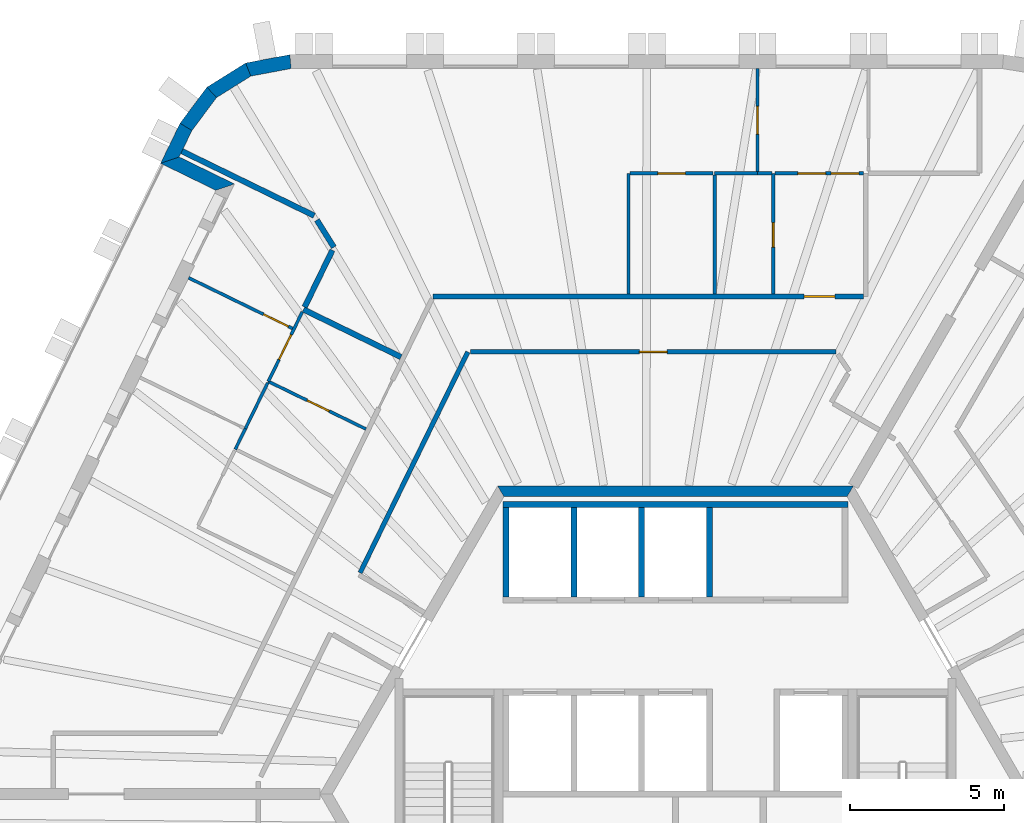
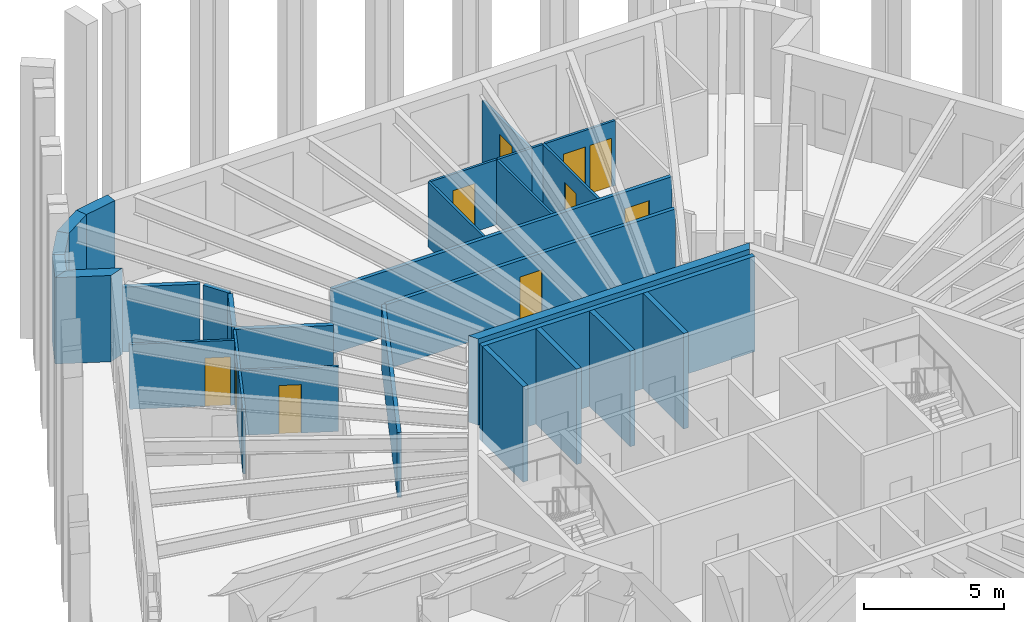
# One storey, part 8 of 12: 31 walls, 10 doors, 10 openings.
"""IFC4 building model written with IfcOpenShell, lengths in metres."""

from ifc_helpers import new_model, si_unit, direction, frame, frame_2d, origin, place, context, subcontext, project, spatial, polyline, rectangle, outline, extrude, material, layer, layer_set, type_object, element, fill, save


model = new_model("IFC4")

# Units and contexts
model_context = context("Model", 3, precision=1e-05, world=origin(), true_north=direction((0.0, 1.0)))
body_context = subcontext(model_context, "Body", "Model", "MODEL_VIEW")
ifc_project = project(units=[si_unit("LENGTHUNIT", "METRE"), si_unit("AREAUNIT", "SQUARE_METRE"), si_unit("VOLUMEUNIT", "CUBIC_METRE"), si_unit("PLANEANGLEUNIT", "RADIAN"), si_unit("MASSUNIT", "GRAM", prefix="KILO")], contexts=[model_context])

# Site, building, storey
site_placement = place(None, origin())
site = spatial("IfcSite", under=ifc_project, at=site_placement, CompositionType="ELEMENT")
building_placement = place(site_placement, origin())
building = spatial("IfcBuilding", under=site, at=building_placement, Name="Tarnside Tower", CompositionType="ELEMENT")
storey_placement = place(building_placement, frame((0.0, 0.0, 349.5)))
storey = spatial("IfcBuildingStorey", under=building, at=storey_placement, Name="L84", CompositionType="ELEMENT", Elevation=349.5)

# Wall
ifc_material_1 = material(Name="Gypsum board partition on steel studs", Category="steel")
ifc_layer_1 = layer(ifc_material_1, 0.10009765625)
ifc_layer_set_1 = layer_set([ifc_layer_1], Name="Bathroom wall 100")
wall_type_1 = type_object("IfcWallType", Name="Bathroom wall 100", PredefinedType="PARTITIONING", material=ifc_layer_set_1)
wall_1_placement = place(storey_placement, frame((1.274658203125, 20.14990234375, 0.0), z_axis=(0.0, 0.0, 1.0), x_axis=(1.0, 0.0, 0.0)))
element("IfcWall", 1, at=wall_1_placement, inside=storey, type_object=wall_type_1, Name="Bathroom wall 27070", PredefinedType="PARTITIONING", context=body_context, shape_type="SweptSolid", body=[
    extrude(rectangle(XDim=1.395751953125, YDim=0.10009765625, at=frame_2d((0.69775390625, 0.0))), origin(), (0.0, 0.0, 1.0), 2.820068359375),
])

# Wall, opening, door
wall_2_placement = place(storey_placement, frame((3.174560546875, 20.14990234375, 0.0), z_axis=(0.0, 0.0, 1.0), x_axis=(0.0, -1.0, 0.0)))
wall_2 = element("IfcWall", 2, at=wall_2_placement, inside=storey, type_object=wall_type_1, Name="Bathroom wall 27078", PredefinedType="PARTITIONING", context=body_context, shape_type="SweptSolid", body=[
    extrude(rectangle(XDim=3.9248046875, YDim=0.10009765625, at=frame_2d((1.96240234375, 0.0))), origin(), (0.0, 0.0, 1.0), 2.820068359375),
])
opening_1_placement = place(wall_2_placement, frame((1.60009765625, 0.0, 0.0)))
opening_1 = element("IfcOpeningElement", 3, at=opening_1_placement, cuts=wall_2, Name="Opening D-B1", PredefinedType="OPENING", context=body_context, shape_type="SweptSolid", body=[
    extrude(rectangle(XDim=0.800048828125, YDim=2.10009765625, at=frame_2d((0.39990234375, 1.050048828125))), frame((0.0, 0.06005859375, 0.0), z_axis=(0.0, -1.0, 0.0), x_axis=(1.0, 0.0, 0.0)), (0.0, 0.0, 1.0), 0.1201171875),
])
ifc_material_2 = material(Name="Timber door leaf", Category="wood")
door_type_1 = type_object("IfcDoorType", Name="Bathroom door 800", OperationType="NOTDEFINED", PredefinedType="DOOR", material=ifc_material_2)
door_1_placement = place(opening_1_placement, origin())
door_1 = element("IfcDoor", 4, at=door_1_placement, inside=storey, type_object=door_type_1, Name="Bathroom door 27002", OperationType="SINGLE_SWING_LEFT", OverallHeight=2.10009765625, OverallWidth=0.800048828125, PredefinedType="DOOR", context=body_context, shape_type="SweptSolid", body=[
    extrude(rectangle(XDim=0.800048828125, YDim=2.10009765625, at=frame_2d((0.39990234375, 1.050048828125))), frame((0.0, 0.02490234375, 0.0), z_axis=(0.0, -1.0, 0.0), x_axis=(1.0, 0.0, 0.0)), (0.0, 0.0, 1.0), 0.050048828125),
])
fill(opening_1, door_1)

# Walls
wall_3_placement = place(storey_placement, frame((3.126708984375, 20.14990234375, 0.0), z_axis=(0.0, 0.0, 1.0), x_axis=(-1.0, 0.0, 0.0)))
element("IfcWall", 5, at=wall_3_placement, inside=storey, type_object=wall_type_1, Name="Bathroom wall 27080", PredefinedType="PARTITIONING", context=body_context, shape_type="SweptSolid", body=[
    extrude(rectangle(XDim=0.458251953125, YDim=0.10009765625, at=frame_2d((0.22900390625, 0.0))), origin(), (0.0, 0.0, 1.0), 2.820068359375),
])
wall_4_placement = place(storey_placement, frame((1.274658203125, 20.10009765625, 0.0), z_axis=(0.0, 0.0, 1.0), x_axis=(0.0, -1.0, 0.0)))
element("IfcWall", 6, at=wall_4_placement, inside=storey, type_object=wall_type_1, Name="Bathroom wall 27081", PredefinedType="PARTITIONING", context=body_context, shape_type="SweptSolid", body=[
    extrude(rectangle(XDim=3.875, YDim=0.10009765625, at=frame_2d((1.9375, 0.0))), origin(), (0.0, 0.0, 1.0), 2.820068359375),
])
wall_5_placement = place(storey_placement, frame((-14.291259765625, 11.189208984375, 0.0), z_axis=(0.0, 0.0, 1.0), x_axis=(0.438105837585, 0.898923397779, 0.0)))
element("IfcWall", 7, at=wall_5_placement, inside=storey, type_object=wall_type_1, Name="Bathroom wall 27083", PredefinedType="PARTITIONING", context=body_context, shape_type="SweptSolid", body=[
    extrude(rectangle(XDim=0.74169921875, YDim=0.10009765625, at=frame_2d((0.370849609375, 0.0))), origin(), (0.0, 0.0, 1.0), 2.820068359375),
])

# Wall, opening, door
wall_6_placement = place(storey_placement, frame((-13.21728515625, 13.391357421875, 0.0), z_axis=(0.0, 0.0, 1.0), x_axis=(0.898775101867, -0.438409986501, 0.0)))
wall_6 = element("IfcWall", 8, at=wall_6_placement, inside=storey, type_object=wall_type_1, Name="Bathroom wall 27087", PredefinedType="PARTITIONING", context=body_context, shape_type="SweptSolid", body=[
    extrude(rectangle(XDim=3.525146484375, YDim=0.10009765625, at=frame_2d((1.7626953125, 0.0))), origin(), (0.0, 0.0, 1.0), 2.820068359375),
])
opening_2_placement = place(wall_6_placement, frame((1.39990234375, 0.0, 0.0)))
opening_2 = element("IfcOpeningElement", 9, at=opening_2_placement, cuts=wall_6, Name="Opening D-B1", PredefinedType="OPENING", context=body_context, shape_type="SweptSolid", body=[
    extrude(rectangle(XDim=0.800048828125, YDim=2.10009765625, at=frame_2d((0.39990234375, 1.050048828125))), frame((0.0, 0.06005859375, 0.0), z_axis=(0.0, -1.0, 0.0), x_axis=(1.0, 0.0, 0.0)), (0.0, 0.0, 1.0), 0.1201171875),
])
door_2_placement = place(opening_2_placement, origin())
door_2 = element("IfcDoor", 10, at=door_2_placement, inside=storey, type_object=door_type_1, Name="Bathroom door 27012", OperationType="SINGLE_SWING_LEFT", OverallHeight=2.10009765625, OverallWidth=0.800048828125, PredefinedType="DOOR", context=body_context, shape_type="SweptSolid", body=[
    extrude(rectangle(XDim=0.800048828125, YDim=2.10009765625, at=frame_2d((0.39990234375, 1.050048828125))), frame((0.0, 0.02490234375, 0.0), z_axis=(0.0, -1.0, 0.0), x_axis=(1.0, 0.0, 0.0)), (0.0, 0.0, 1.0), 0.050048828125),
])
fill(opening_2, door_2)

# Walls
wall_7_placement = place(storey_placement, frame((-13.23828125, 13.34814453125, 0.0), z_axis=(0.0, 0.0, 1.0), x_axis=(-0.438380229518, -0.898789616299, 0.0)))
element("IfcWall", 11, at=wall_7_placement, inside=storey, type_object=wall_type_1, Name="Bathroom wall 27090", PredefinedType="PARTITIONING", context=body_context, shape_type="SweptSolid", body=[
    extrude(rectangle(XDim=1.662353515625, YDim=0.10009765625, at=frame_2d((0.8310546875, 0.0))), origin(), (0.0, 0.0, 1.0), 2.820068359375),
])
ifc_material_3 = material(Name="Concrete C50/60", Category="concrete")
ifc_layer_2 = layer(ifc_material_3, 0.35009765625)
ifc_layer_set_2 = layer_set([ifc_layer_2], Name="Core wall Z4 350 C50/60")
wall_type_2 = type_object("IfcWallType", Name="Core wall Z4 350 C50/60", PredefinedType="SHEAR", material=ifc_layer_set_2)
wall_8_placement = place(storey_placement, frame((5.672607421875, 9.824951171875, 0.0), z_axis=(0.0, 0.0, 1.0), x_axis=(-1.0, 0.0, 0.0)))
element("IfcWall", 12, at=wall_8_placement, inside=storey, type_object=wall_type_2, Name="L84 core wall face 1", PredefinedType="SHEAR", context=body_context, shape_type="SweptSolid", body=[
    extrude(outline(polyline([(-0.10107421875, -0.175048828125), (11.4462890625, -0.175048828125), (11.244140625, 0.175048828125), (0.10107421875, 0.175048828125), (-0.10107421875, -0.175048828125)])), origin(), (0.0, 0.0, 1.0), 3.75),
])

# Wall, opening, door
ifc_layer_3 = layer(ifc_material_1, 0.14990234375)
ifc_layer_set_3 = layer_set([ifc_layer_3], Name="Corridor wall 150 EI 60")
wall_type_3 = type_object("IfcWallType", Name="Corridor wall 150 EI 60", PredefinedType="PARTITIONING", material=ifc_layer_set_3)
wall_9_placement = place(storey_placement, frame((6.099609375, 16.14990234375, 0.0), z_axis=(0.0, 0.0, 1.0), x_axis=(-1.0, 0.0, 0.0)))
wall_9 = element("IfcWall", 13, at=wall_9_placement, inside=storey, type_object=wall_type_3, Name="Corridor wall 27001", PredefinedType="PARTITIONING", context=body_context, shape_type="SweptSolid", body=[
    extrude(rectangle(XDim=13.966064453125, YDim=0.14990234375, at=frame_2d((6.98291015625, 0.0))), origin(), (0.0, 0.0, 1.0), 2.820068359375),
])
opening_3_placement = place(wall_9_placement, frame((0.925048828125, 0.0, 0.0)))
opening_3 = element("IfcOpeningElement", 14, at=opening_3_placement, cuts=wall_9, Name="Opening D-E1", PredefinedType="OPENING", context=body_context, shape_type="SweptSolid", body=[
    extrude(rectangle(XDim=1.0, YDim=2.10009765625, at=frame_2d((0.5, 1.050048828125))), frame((0.0, 0.0849609375, 0.0), z_axis=(0.0, -1.0, 0.0), x_axis=(1.0, 0.0, 0.0)), (0.0, 0.0, 1.0), 0.169921875),
])
door_type_2 = type_object("IfcDoorType", Name="Unit entrance door 1000 FD30S", OperationType="NOTDEFINED", PredefinedType="DOOR", material=ifc_material_2)
door_3_placement = place(opening_3_placement, origin())
door_3 = element("IfcDoor", 15, at=door_3_placement, inside=storey, type_object=door_type_2, Name="Unit door 27001", OperationType="SINGLE_SWING_RIGHT", OverallHeight=2.10009765625, OverallWidth=1.0, PredefinedType="DOOR", context=body_context, shape_type="SweptSolid", body=[
    extrude(rectangle(XDim=1.0, YDim=2.10009765625, at=frame_2d((0.5, 1.050048828125))), frame((0.0, 0.02490234375, 0.0), z_axis=(0.0, -1.0, 0.0), x_axis=(1.0, 0.0, 0.0)), (0.0, 0.0, 1.0), 0.050048828125),
])
fill(opening_3, door_3)

# Wall
wall_10_placement = place(storey_placement, frame((-10.23974609375, 7.177734375, 0.0), z_axis=(0.0, 0.0, 1.0), x_axis=(0.438356120288, 0.898801375058, 0.0)))
element("IfcWall", 16, at=wall_10_placement, inside=storey, type_object=wall_type_3, Name="Corridor wall 27019", PredefinedType="PARTITIONING", context=body_context, shape_type="SweptSolid", body=[
    extrude(rectangle(XDim=7.97998046875, YDim=0.14990234375, at=frame_2d((3.989990234375, 0.0))), origin(), (0.0, 0.0, 1.0), 2.820068359375),
])

# Wall, opening, door
wall_11_placement = place(storey_placement, frame((-6.658203125, 14.35009765625, 0.0), z_axis=(0.0, 0.0, 1.0), x_axis=(1.0, 0.0, 0.0)))
wall_11 = element("IfcWall", 17, at=wall_11_placement, inside=storey, type_object=wall_type_3, Name="Corridor wall 27020", PredefinedType="PARTITIONING", context=body_context, shape_type="SweptSolid", body=[
    extrude(rectangle(XDim=11.875732421875, YDim=0.14990234375, at=frame_2d((5.93798828125, 0.0))), origin(), (0.0, 0.0, 1.0), 2.820068359375),
])
opening_4_placement = place(wall_11_placement, frame((5.48779296875, 0.0, 0.0)))
opening_4 = element("IfcOpeningElement", 18, at=opening_4_placement, cuts=wall_11, Name="Opening D-S1", PredefinedType="OPENING", context=body_context, shape_type="SweptSolid", body=[
    extrude(rectangle(XDim=0.89990234375, YDim=2.10009765625, at=frame_2d((0.449951171875, 1.050048828125))), frame((0.0, 0.0849609375, 0.0), z_axis=(0.0, -1.0, 0.0), x_axis=(1.0, 0.0, 0.0)), (0.0, 0.0, 1.0), 0.169921875),
])
door_type_3 = type_object("IfcDoorType", Name="Service room door 900 FD30S", OperationType="NOTDEFINED", PredefinedType="DOOR", material=ifc_material_2)
door_4_placement = place(opening_4_placement, origin())
door_4 = element("IfcDoor", 19, at=door_4_placement, inside=storey, type_object=door_type_3, Name="Service door 27060", OperationType="SINGLE_SWING_RIGHT", OverallHeight=2.10009765625, OverallWidth=0.89990234375, PredefinedType="DOOR", context=body_context, shape_type="SweptSolid", body=[
    extrude(rectangle(XDim=0.89990234375, YDim=2.10009765625, at=frame_2d((0.449951171875, 1.050048828125))), frame((0.0, 0.02490234375, 0.0), z_axis=(0.0, -1.0, 0.0), x_axis=(1.0, 0.0, 0.0)), (0.0, 0.0, 1.0), 0.050048828125),
])
fill(opening_4, door_4)

# Walls
ifc_layer_4 = layer(ifc_material_1, 0.179931640625)
ifc_layer_set_4 = layer_set([ifc_layer_4], Name="Demising wall 180 EI 60")
wall_type_4 = type_object("IfcWallType", Name="Demising wall 180 EI 60", PredefinedType="PARTITIONING", material=ifc_layer_set_4)
wall_12_placement = place(storey_placement, frame((-12.07763671875, 15.72802734375, 0.0), z_axis=(0.0, 0.0, 1.0), x_axis=(0.898802391248, -0.438354036696, 0.0)))
element("IfcWall", 20, at=wall_12_placement, inside=storey, type_object=wall_type_4, Name="Demising wall 27074", PredefinedType="PARTITIONING", context=body_context, shape_type="SweptSolid", body=[
    extrude(rectangle(XDim=3.52490234375, YDim=0.179931640625, at=frame_2d((1.762451171875, 0.0))), origin(), (0.0, 0.0, 1.0), 2.820068359375),
])
wall_13_placement = place(storey_placement, frame((-16.02392578125, 20.867919921875, 0.0), z_axis=(0.0, 0.0, 1.0), x_axis=(0.898790554329, -0.438378306317, 0.0)))
element("IfcWall", 21, at=wall_13_placement, inside=storey, type_object=wall_type_4, Name="Demising wall 27075", PredefinedType="PARTITIONING", context=body_context, shape_type="SweptSolid", body=[
    extrude(rectangle(XDim=4.775634765625, YDim=0.179931640625, at=frame_2d((2.3876953125, 0.0))), origin(), (0.0, 0.0, 1.0), 2.820068359375),
])
wall_14_placement = place(storey_placement, frame((-11.6416015625, 18.63037109375, 0.0), z_axis=(0.0, 0.0, 1.0), x_axis=(0.530041214548, -0.847971880949, 0.0)))
element("IfcWall", 22, at=wall_14_placement, inside=storey, type_object=wall_type_4, Name="Demising wall 27076", PredefinedType="PARTITIONING", context=body_context, shape_type="SweptSolid", body=[
    extrude(rectangle(XDim=1.0380859375, YDim=0.179931640625, at=frame_2d((0.51904296875, 0.0))), origin(), (0.0, 0.0, 1.0), 2.820068359375),
])
wall_15_placement = place(storey_placement, frame((-11.137939453125, 17.654541015625, 0.0), z_axis=(0.0, 0.0, 1.0), x_axis=(-0.438409602339, -0.898775289256, 0.0)))
element("IfcWall", 23, at=wall_15_placement, inside=storey, type_object=wall_type_4, Name="Demising wall 27077", PredefinedType="PARTITIONING", context=body_context, shape_type="SweptSolid", body=[
    extrude(rectangle(XDim=2.05712890625, YDim=0.179931640625, at=frame_2d((1.028564453125, 0.0))), origin(), (0.0, 0.0, 1.0), 2.820068359375),
])
ifc_material_4 = material(Name="Concrete C40/50", Category="concrete")
ifc_layer_5 = layer(ifc_material_4, 0.199951171875)
ifc_layer_set_5 = layer_set([ifc_layer_5], Name="Lift shaft wall 200 C40/50")
wall_type_5 = type_object("IfcWallType", Name="Lift shaft wall 200 C40/50", PredefinedType="SHEAR", material=ifc_layer_set_5)
wall_16_placement = place(storey_placement, frame((-5.60009765625, 9.39990234375, -0.5), z_axis=(0.0, 0.0, 1.0), x_axis=(1.0, 0.0, 0.0)))
element("IfcWall", 24, at=wall_16_placement, inside=storey, type_object=wall_type_5, Name="L84 lift shaft back wall R1", PredefinedType="SHEAR", context=body_context, shape_type="SweptSolid", body=[
    extrude(rectangle(XDim=11.2001953125, YDim=0.199951171875, at=frame_2d((5.60009765625, 0.0))), origin(), (0.0, 0.0, 1.0), 4.14990234375),
])
for number, where, z_axis, x_axis, name in (
    (25, (-5.5, 6.39990234375, -0.5), (0.0, 0.0, 1.0), (0.0, 1.0, 0.0), "L84 lift shaft partition R11"),
    (26, (-3.300048828125, 6.39990234375, -0.5), (0.0, 0.0, 1.0), (0.0, 1.0, 0.0), "L84 lift shaft partition R12"),
    (27, (-1.10009765625, 6.39990234375, -0.5), (0.0, 0.0, 1.0), (0.0, 1.0, 0.0), "L84 lift shaft partition R13"),
    (28, (1.10009765625, 6.39990234375, -0.5), (0.0, 0.0, 1.0), (0.0, 1.0, 0.0), "L84 lift shaft partition R14"),
):
    element("IfcWall", number, at=place(storey_placement, frame(where, z_axis=z_axis, x_axis=x_axis)), inside=storey, type_object=wall_type_5, Name=name, PredefinedType="SHEAR", context=body_context, shape_type="SweptSolid", body=[
        extrude(rectangle(XDim=2.900146484375, YDim=0.199951171875, at=frame_2d((1.4501953125, 0.0))), origin(), (0.0, 0.0, 1.0), 4.14990234375),
    ])
ifc_material_5 = material(Name="Dark zinc cladding")
ifc_layer_6 = layer(ifc_material_5, 0.10205078125)
ifc_material_6 = material(Name="Concrete C60/75 precast", Category="concrete")
ifc_layer_7 = layer(ifc_material_6, 0.248046875)
ifc_material_7 = material(Name="Mineral wool insulation")
ifc_layer_8 = layer(ifc_material_7, 0.10009765625)
ifc_layer_set_6 = layer_set([ifc_layer_6, ifc_layer_7, ifc_layer_8], Name="Loggia wall 450 zinc faced")
wall_type_6 = type_object("IfcWallType", Name="Loggia wall 450 zinc faced", PredefinedType="SOLIDWALL", material=ifc_layer_set_6)
wall_17_placement = place(storey_placement, frame((-15.890380859375, 21.65478515625, 0.0), z_axis=(0.0, 0.0, 1.0), x_axis=(-0.438319390103, -0.898819287877, 0.0)))
element("IfcWall", 29, at=wall_17_placement, inside=storey, type_object=wall_type_6, Name="Tube wall L84 F2 stub 04", PredefinedType="SOLIDWALL", context=body_context, shape_type="SweptSolid", body=[
    extrude(outline(polyline([(-0.02099609375, -0.22509765625), (1.4248046875, -0.22509765625), (0.974609375, 0.22509765625), (0.02099609375, 0.22509765625), (-0.02099609375, -0.22509765625)])), origin(), (0.0, 0.0, 1.0), 3.75),
])
wall_18_placement = place(storey_placement, frame((-16.416259765625, 20.576416015625, 0.0), z_axis=(0.0, 0.0, 1.0), x_axis=(0.898730898244, -0.438500595829, 0.0)))
element("IfcWall", 30, at=wall_18_placement, inside=storey, type_object=wall_type_6, Name="Tube wall L84 F2 return 05", PredefinedType="SOLIDWALL", context=body_context, shape_type="SweptSolid", body=[
    extrude(outline(polyline([(-0.224853515625, -0.22509765625), (1.77490234375, -0.22509765625), (2.22509765625, 0.22509765625), (0.224853515625, 0.22509765625), (-0.224853515625, -0.22509765625)])), origin(), (0.0, 0.0, 1.0), 3.75),
])

# Wall, opening, door
ifc_layer_9 = layer(ifc_material_1, 0.10009765625)
ifc_layer_set_7 = layer_set([ifc_layer_9], Name="Partition 100")
wall_type_7 = type_object("IfcWallType", Name="Partition 100", PredefinedType="PARTITIONING", material=ifc_layer_set_7)
wall_19_placement = place(storey_placement, frame((2.66845703125, 20.199951171875, 0.0), z_axis=(0.0, 0.0, 1.0), x_axis=(0.0, 1.0, 0.0)))
wall_19 = element("IfcWall", 31, at=wall_19_placement, inside=storey, type_object=wall_type_7, Name="Partition wall 27071", PredefinedType="PARTITIONING", context=body_context, shape_type="SweptSolid", body=[
    extrude(rectangle(XDim=3.35009765625, YDim=0.10009765625, at=frame_2d((1.675048828125, 0.0))), origin(), (0.0, 0.0, 1.0), 2.820068359375),
])
opening_5_placement = place(wall_19_placement, frame((1.22509765625, 0.0, 0.0)))
opening_5 = element("IfcOpeningElement", 32, at=opening_5_placement, cuts=wall_19, Name="Opening D-I1", PredefinedType="OPENING", context=body_context, shape_type="SweptSolid", body=[
    extrude(rectangle(XDim=0.89990234375, YDim=2.10009765625, at=frame_2d((0.449951171875, 1.050048828125))), frame((0.0, 0.06005859375, 0.0), z_axis=(0.0, -1.0, 0.0), x_axis=(1.0, 0.0, 0.0)), (0.0, 0.0, 1.0), 0.1201171875),
])
door_type_4 = type_object("IfcDoorType", Name="Internal door 900", OperationType="NOTDEFINED", PredefinedType="DOOR", material=ifc_material_2)
door_5_placement = place(opening_5_placement, origin())
door_5 = element("IfcDoor", 33, at=door_5_placement, inside=storey, type_object=door_type_4, Name="Internal door 27057", OperationType="SINGLE_SWING_LEFT", OverallHeight=2.10009765625, OverallWidth=0.89990234375, PredefinedType="DOOR", context=body_context, shape_type="SweptSolid", body=[
    extrude(rectangle(XDim=0.89990234375, YDim=2.10009765625, at=frame_2d((0.449951171875, 1.050048828125))), frame((0.0, 0.02490234375, 0.0), z_axis=(0.0, -1.0, 0.0), x_axis=(1.0, 0.0, 0.0)), (0.0, 0.0, 1.0), 0.050048828125),
])
fill(opening_5, door_5)

# Wall
wall_20_placement = place(storey_placement, frame((-1.525390625, 16.22509765625, 0.0), z_axis=(0.0, 0.0, 1.0), x_axis=(0.0, 1.0, 0.0)))
element("IfcWall", 34, at=wall_20_placement, inside=storey, type_object=wall_type_7, Name="Partition wall 27072", PredefinedType="PARTITIONING", context=body_context, shape_type="SweptSolid", body=[
    extrude(rectangle(XDim=3.9248046875, YDim=0.10009765625, at=frame_2d((1.96240234375, 0.0))), origin(), (0.0, 0.0, 1.0), 2.820068359375),
])

# Wall, opening, door
wall_21_placement = place(storey_placement, frame((-1.475341796875, 20.14990234375, 0.0), z_axis=(0.0, 0.0, 1.0), x_axis=(1.0, 0.0, 0.0)))
wall_21 = element("IfcWall", 35, at=wall_21_placement, inside=storey, type_object=wall_type_7, Name="Partition wall 27073", PredefinedType="PARTITIONING", context=body_context, shape_type="SweptSolid", body=[
    extrude(rectangle(XDim=2.699951171875, YDim=0.10009765625, at=frame_2d((1.35009765625, 0.0))), origin(), (0.0, 0.0, 1.0), 2.820068359375),
])
opening_6_placement = place(wall_21_placement, frame((0.89990234375, 0.0, 0.0)))
opening_6 = element("IfcOpeningElement", 36, at=opening_6_placement, cuts=wall_21, Name="Opening D-I1", PredefinedType="OPENING", context=body_context, shape_type="SweptSolid", body=[
    extrude(rectangle(XDim=0.89990234375, YDim=2.10009765625, at=frame_2d((0.449951171875, 1.050048828125))), frame((0.0, 0.06005859375, 0.0), z_axis=(0.0, -1.0, 0.0), x_axis=(1.0, 0.0, 0.0)), (0.0, 0.0, 1.0), 0.1201171875),
])
door_6_placement = place(opening_6_placement, origin())
door_6 = element("IfcDoor", 37, at=door_6_placement, inside=storey, type_object=door_type_4, Name="Internal door 27010", OperationType="SINGLE_SWING_LEFT", OverallHeight=2.10009765625, OverallWidth=0.89990234375, PredefinedType="DOOR", context=body_context, shape_type="SweptSolid", body=[
    extrude(rectangle(XDim=0.89990234375, YDim=2.10009765625, at=frame_2d((0.449951171875, 1.050048828125))), frame((0.0, 0.02490234375, 0.0), z_axis=(0.0, -1.0, 0.0), x_axis=(1.0, 0.0, 0.0)), (0.0, 0.0, 1.0), 0.050048828125),
])
fill(opening_6, door_6)

# Wall, openings, doors
wall_22_placement = place(storey_placement, frame((6.1015625, 20.14990234375, 0.0), z_axis=(0.0, 0.0, 1.0), x_axis=(-1.0, 0.0, 0.0)))
wall_22 = element("IfcWall", 38, at=wall_22_placement, inside=storey, type_object=wall_type_7, Name="Partition wall 27079", PredefinedType="PARTITIONING", context=body_context, shape_type="SweptSolid", body=[
    extrude(rectangle(XDim=2.87890625, YDim=0.10009765625, at=frame_2d((1.439453125, 0.0))), origin(), (0.0, 0.0, 1.0), 2.820068359375),
])
opening_7_placement = place(wall_22_placement, frame((0.14990234375, 0.0, 0.0)))
opening_7 = element("IfcOpeningElement", 39, at=opening_7_placement, cuts=wall_22, Name="Opening D-I1", PredefinedType="OPENING", context=body_context, shape_type="SweptSolid", body=[
    extrude(rectangle(XDim=0.89990234375, YDim=2.10009765625, at=frame_2d((0.449951171875, 1.050048828125))), frame((0.0, 0.06005859375, 0.0), z_axis=(0.0, -1.0, 0.0), x_axis=(1.0, 0.0, 0.0)), (0.0, 0.0, 1.0), 0.1201171875),
])
opening_8_placement = place(wall_22_placement, frame((1.22705078125, 0.0, 0.0)))
opening_8 = element("IfcOpeningElement", 40, at=opening_8_placement, cuts=wall_22, Name="Opening D-I1", PredefinedType="OPENING", context=body_context, shape_type="SweptSolid", body=[
    extrude(rectangle(XDim=0.89990234375, YDim=2.10009765625, at=frame_2d((0.449951171875, 1.050048828125))), frame((0.0, 0.06005859375, 0.0), z_axis=(0.0, -1.0, 0.0), x_axis=(1.0, 0.0, 0.0)), (0.0, 0.0, 1.0), 0.1201171875),
])
door_7_placement = place(opening_7_placement, origin())
door_7 = element("IfcDoor", 41, at=door_7_placement, inside=storey, type_object=door_type_4, Name="Internal door 27005", OperationType="SINGLE_SWING_LEFT", OverallHeight=2.10009765625, OverallWidth=0.89990234375, PredefinedType="DOOR", context=body_context, shape_type="SweptSolid", body=[
    extrude(rectangle(XDim=0.89990234375, YDim=2.10009765625, at=frame_2d((0.449951171875, 1.050048828125))), frame((0.0, 0.02490234375, 0.0), z_axis=(0.0, -1.0, 0.0), x_axis=(1.0, 0.0, 0.0)), (0.0, 0.0, 1.0), 0.050048828125),
])
fill(opening_7, door_7)
door_8_placement = place(opening_8_placement, origin())
door_8 = element("IfcDoor", 42, at=door_8_placement, inside=storey, type_object=door_type_4, Name="Internal door 27009", OperationType="SINGLE_SWING_LEFT", OverallHeight=2.10009765625, OverallWidth=0.89990234375, PredefinedType="DOOR", context=body_context, shape_type="SweptSolid", body=[
    extrude(rectangle(XDim=0.89990234375, YDim=2.10009765625, at=frame_2d((0.449951171875, 1.050048828125))), frame((0.0, 0.02490234375, 0.0), z_axis=(0.0, -1.0, 0.0), x_axis=(1.0, 0.0, 0.0)), (0.0, 0.0, 1.0), 0.050048828125),
])
fill(opening_8, door_8)

# Wall, opening, door
wall_23_placement = place(storey_placement, frame((-12.1162109375, 15.649169921875, 0.0), z_axis=(0.0, 0.0, 1.0), x_axis=(-0.438335623405, -0.898811371342, 0.0)))
wall_23 = element("IfcWall", 43, at=wall_23_placement, inside=storey, type_object=wall_type_7, Name="Partition wall 27088", PredefinedType="PARTITIONING", context=body_context, shape_type="SweptSolid", body=[
    extrude(rectangle(XDim=2.51416015625, YDim=0.10009765625, at=frame_2d((1.257080078125, 0.0))), origin(), (0.0, 0.0, 1.0), 2.820068359375),
])
opening_9_placement = place(wall_23_placement, frame((0.822265625, 0.0, 0.0)))
opening_9 = element("IfcOpeningElement", 44, at=opening_9_placement, cuts=wall_23, Name="Opening D-I1", PredefinedType="OPENING", context=body_context, shape_type="SweptSolid", body=[
    extrude(rectangle(XDim=0.89990234375, YDim=2.10009765625, at=frame_2d((0.449951171875, 1.050048828125))), frame((0.0, 0.06005859375, 0.0), z_axis=(0.0, -1.0, 0.0), x_axis=(1.0, 0.0, 0.0)), (0.0, 0.0, 1.0), 0.1201171875),
])
door_9_placement = place(opening_9_placement, origin())
door_9 = element("IfcDoor", 45, at=door_9_placement, inside=storey, type_object=door_type_4, Name="Internal door 27015", OperationType="SINGLE_SWING_LEFT", OverallHeight=2.10009765625, OverallWidth=0.89990234375, PredefinedType="DOOR", context=body_context, shape_type="SweptSolid", body=[
    extrude(rectangle(XDim=0.89990234375, YDim=2.10009765625, at=frame_2d((0.449951171875, 1.050048828125))), frame((0.0, 0.02490234375, 0.0), z_axis=(0.0, -1.0, 0.0), x_axis=(1.0, 0.0, 0.0)), (0.0, 0.0, 1.0), 0.050048828125),
])
fill(opening_9, door_9)

wall_24_placement = place(storey_placement, frame((-15.804443359375, 16.755615234375, 0.0), z_axis=(0.0, 0.0, 1.0), x_axis=(0.89878471246, -0.438390283479, 0.0)))
wall_24 = element("IfcWall", 46, at=wall_24_placement, inside=storey, type_object=wall_type_7, Name="Partition wall 27092", PredefinedType="PARTITIONING", context=body_context, shape_type="SweptSolid", body=[
    extrude(rectangle(XDim=3.750244140625, YDim=0.10009765625, at=frame_2d((1.875, 0.0))), origin(), (0.0, 0.0, 1.0), 2.820068359375),
])
opening_10_placement = place(wall_24_placement, frame((2.699951171875, 0.0, 0.0)))
opening_10 = element("IfcOpeningElement", 47, at=opening_10_placement, cuts=wall_24, Name="Opening D-I1", PredefinedType="OPENING", context=body_context, shape_type="SweptSolid", body=[
    extrude(rectangle(XDim=0.89990234375, YDim=2.10009765625, at=frame_2d((0.449951171875, 1.050048828125))), frame((0.0, 0.06005859375, 0.0), z_axis=(0.0, -1.0, 0.0), x_axis=(1.0, 0.0, 0.0)), (0.0, 0.0, 1.0), 0.1201171875),
])
door_10_placement = place(opening_10_placement, origin())
door_10 = element("IfcDoor", 48, at=door_10_placement, inside=storey, type_object=door_type_4, Name="Internal door 27018", OperationType="SINGLE_SWING_RIGHT", OverallHeight=2.10009765625, OverallWidth=0.89990234375, PredefinedType="DOOR", context=body_context, shape_type="SweptSolid", body=[
    extrude(rectangle(XDim=0.89990234375, YDim=2.10009765625, at=frame_2d((0.449951171875, 1.050048828125))), frame((0.0, 0.02490234375, 0.0), z_axis=(0.0, -1.0, 0.0), x_axis=(1.0, 0.0, 0.0)), (0.0, 0.0, 1.0), 0.050048828125),
])
fill(opening_10, door_10)

# Walls
ifc_material_8 = material(Name="Facing brick", Category="masonry")
ifc_layer_10 = layer(ifc_material_8, 0.10205078125)
ifc_layer_11 = layer(ifc_material_6, 0.248046875)
ifc_layer_12 = layer(ifc_material_7, 0.10009765625)
ifc_layer_set_8 = layer_set([ifc_layer_10, ifc_layer_11, ifc_layer_12], Name="Tube wall 450 brick faced")
wall_type_8 = type_object("IfcWallType", Name="Tube wall 450 brick faced", PredefinedType="SOLIDWALL", material=ifc_layer_set_8)
wall_25_placement = place(storey_placement, frame((-12.497314453125, 23.77490234375, 0.0), z_axis=(0.0, 0.0, 1.0), x_axis=(-0.982735447009, -0.185016326824, 0.0)))
element("IfcWall", 49, at=wall_25_placement, inside=storey, type_object=wall_type_8, Name="Tube wall L84 F1 chord 01", PredefinedType="SOLIDWALL", context=body_context, shape_type="SweptSolid", body=[
    extrude(outline(polyline([(-0.02099609375, -0.22509765625), (1.43994140625, -0.22509765625), (1.35498046875, 0.22509765625), (0.02099609375, 0.22509765625), (-0.02099609375, -0.22509765625)])), origin(), (0.0, 0.0, 1.0), 3.75),
])
wall_26_placement = place(storey_placement, frame((-13.87060546875, 23.516357421875, 0.0), z_axis=(0.0, 0.0, 1.0), x_axis=(-0.848106239164, -0.52982620461, 0.0)))
element("IfcWall", 50, at=wall_26_placement, inside=storey, type_object=wall_type_8, Name="Tube wall L84 F1 chord 02", PredefinedType="SOLIDWALL", context=body_context, shape_type="SweptSolid", body=[
    extrude(outline(polyline([(-0.04248046875, -0.22509765625), (1.440185546875, -0.22509765625), (1.355224609375, 0.22509765625), (0.04248046875, 0.22509765625), (-0.04248046875, -0.22509765625)])), origin(), (0.0, 0.0, 1.0), 3.75),
])
wall_27_placement = place(storey_placement, frame((-15.055908203125, 22.77587890625, 0.0), z_axis=(0.0, 0.0, 1.0), x_axis=(-0.597089203515, -0.802174845682, 0.0)))
element("IfcWall", 51, at=wall_27_placement, inside=storey, type_object=wall_type_8, Name="Tube wall L84 F1 chord 03", PredefinedType="SOLIDWALL", context=body_context, shape_type="SweptSolid", body=[
    extrude(outline(polyline([(-0.04248046875, -0.22509765625), (1.41845703125, -0.22509765625), (1.37646484375, 0.22509765625), (0.04248046875, 0.22509765625), (-0.04248046875, -0.22509765625)])), origin(), (0.0, 0.0, 1.0), 3.75),
])

save(model, "model.ifc")
